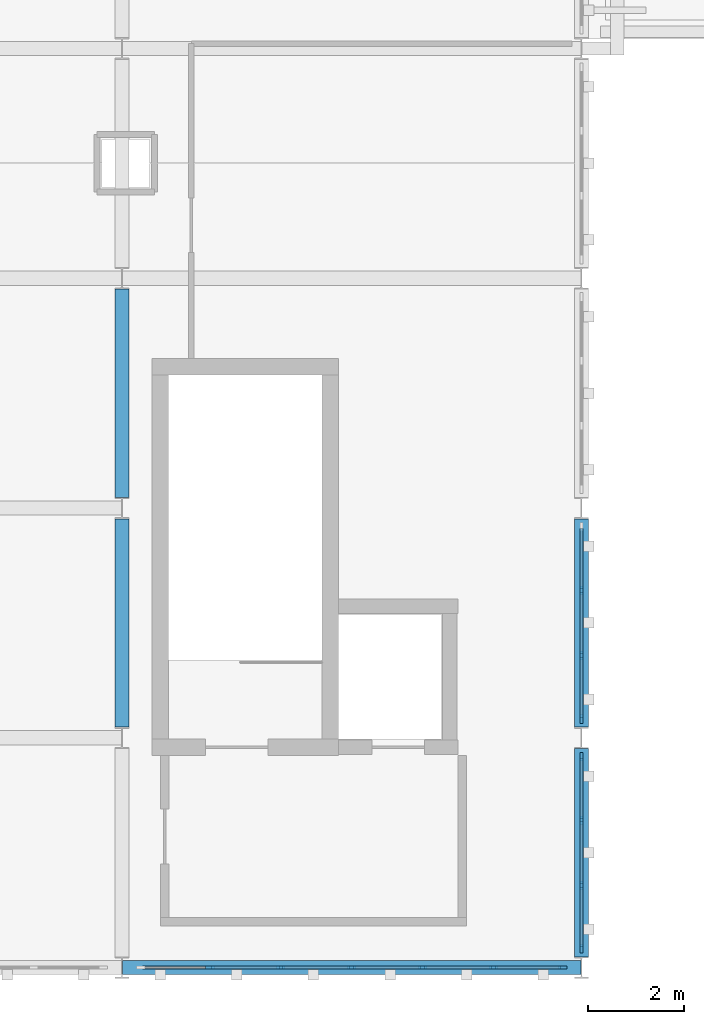
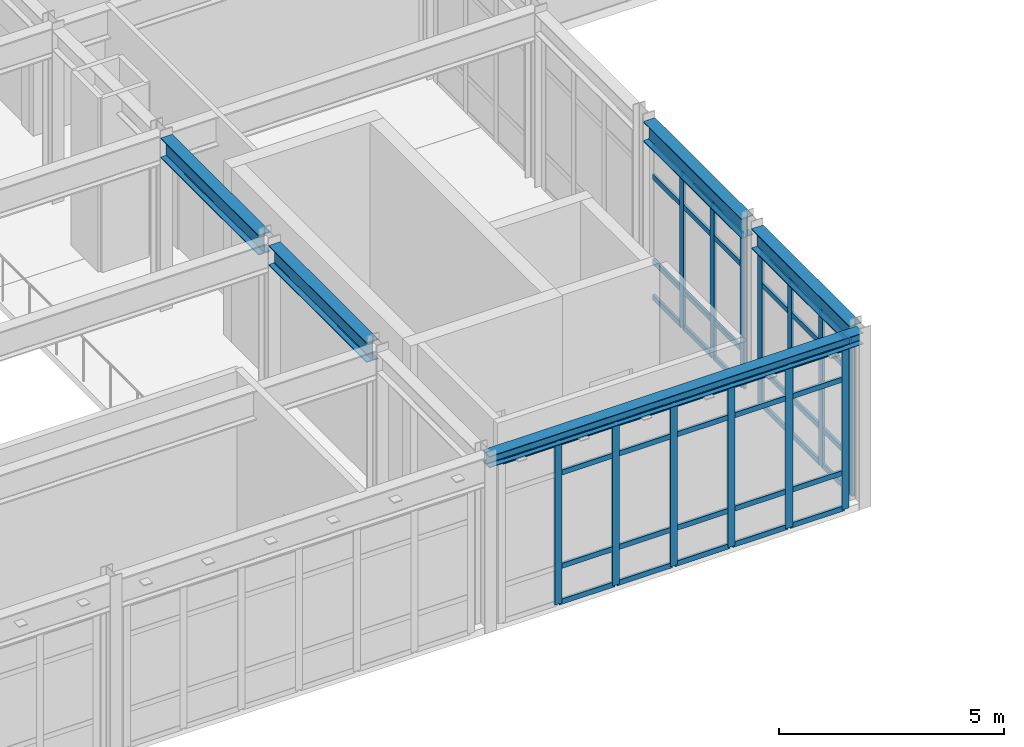
# One storey, part 4 of 16: 58 members, 5 beams, 3 elements without a shape of their own.
"""IFC4 building model written with IfcOpenShell, lengths in metres."""

from ifc_helpers import new_model, si_unit, direction, frame, origin, origin_2d, place, context, subcontext, project, spatial, rectangle, i_section, extrude, material, layer, layer_set, material_profile, profile_set, type_object, element, aggregate, save


model = new_model("IFC4")

# Units and contexts
model_context = context("Model", 3, precision=1e-05, world=origin(), true_north=direction((0.0, 1.0)))
body_context = subcontext(model_context, "Body", "Model", "MODEL_VIEW")
ifc_project = project(units=[si_unit("LENGTHUNIT", "METRE"), si_unit("AREAUNIT", "SQUARE_METRE"), si_unit("VOLUMEUNIT", "CUBIC_METRE"), si_unit("PLANEANGLEUNIT", "RADIAN"), si_unit("MASSUNIT", "GRAM", prefix="KILO")], contexts=[model_context])

# Site, building, storey
site_placement = place(None, origin())
site = spatial("IfcSite", under=ifc_project, at=site_placement, CompositionType="ELEMENT")
building_placement = place(site_placement, origin())
building = spatial("IfcBuilding", under=site, at=building_placement, Name="Nordkorset Police Headquarters", CompositionType="ELEMENT")
storey_placement = place(building_placement, frame((0.0, 0.0, 31.14990234375)))
storey = spatial("IfcBuildingStorey", under=building, at=storey_placement, Name="L07", CompositionType="ELEMENT", Elevation=31.14990234375)

# Curtain wall, members
ifc_material_1 = material(Name="Aluminium alloy AW-6060", Category="aluminium")
ifc_layer_1 = layer(ifc_material_1, 0.179931640625, Name="Aluminium alloy AW-6060")
ifc_layer_set_1 = layer_set([ifc_layer_1], Name="Aluminium alloy AW-6060")
curtain_wall_type_1 = type_object("IfcCurtainWallType", Name="CW_Unit_408x415", PredefinedType="USERDEFINED", material=ifc_layer_set_1)
curtain_wall_1_placement = place(storey_placement, origin())
curtain_wall_1 = element("IfcCurtainWall", 1, at=curtain_wall_1_placement, inside=storey, type_object=curtain_wall_type_1, Name="Unitised Curtain Wall L07 V1E-0", ObjectType="UNITISED CURTAIN WALL", PredefinedType="USERDEFINED")
ifc_material_2 = material(Name="Aluminium alloy AW-6060", Category="aluminium")
ifc_material_profile_1 = material_profile(ifc_material_2, rectangle(XDim=0.06494140625, YDim=0.179931640625, at=origin_2d()), Name="ALU MULL 65x180")
ifc_profile_set_1 = profile_set([ifc_material_profile_1], Name="Aluminium alloy AW-6060")
member_type_1 = type_object("IfcMemberType", Name="CW_Mullion_65x180", PredefinedType="MULLION", material=ifc_profile_set_1)
member_1_placement = place(storey_placement, frame((28.800048828125, 83.592529296875, 0.0), z_axis=(0.0, 0.0, 1.0), x_axis=(-1.0, 0.0, 0.0)))
member_1 = element("IfcMember", 2, at=member_1_placement, type_object=member_type_1, Name="CW-101 mullion 1", PredefinedType="MULLION", context=body_context, shape_type="SweptSolid", body=[
    extrude(rectangle(XDim=0.06494140625, YDim=0.179931640625, at=origin_2d()), origin(), (0.0, 0.0, 1.0), 4.150146484375),
])
member_2_placement = place(storey_placement, frame((28.800048828125, 84.919921875, 0.0), z_axis=(0.0, 0.0, 1.0), x_axis=(-1.0, 0.0, 0.0)))
member_2 = element("IfcMember", 3, at=member_2_placement, type_object=member_type_1, Name="CW-101 mullion 2", PredefinedType="MULLION", context=body_context, shape_type="SweptSolid", body=[
    extrude(rectangle(XDim=0.06494140625, YDim=0.179931640625, at=origin_2d()), origin(), (0.0, 0.0, 1.0), 4.150146484375),
])
member_3_placement = place(storey_placement, frame((28.800048828125, 86.280029296875, 0.0), z_axis=(0.0, 0.0, 1.0), x_axis=(-1.0, 0.0, 0.0)))
member_3 = element("IfcMember", 4, at=member_3_placement, type_object=member_type_1, Name="CW-101 mullion 3", PredefinedType="MULLION", context=body_context, shape_type="SweptSolid", body=[
    extrude(rectangle(XDim=0.06494140625, YDim=0.179931640625, at=origin_2d()), origin(), (0.0, 0.0, 1.0), 4.150146484375),
])
member_4_placement = place(storey_placement, frame((28.800048828125, 87.607421875, 0.0), z_axis=(0.0, 0.0, 1.0), x_axis=(-1.0, 0.0, 0.0)))
member_4 = element("IfcMember", 5, at=member_4_placement, type_object=member_type_1, Name="CW-101 mullion 4", PredefinedType="MULLION", context=body_context, shape_type="SweptSolid", body=[
    extrude(rectangle(XDim=0.06494140625, YDim=0.179931640625, at=origin_2d()), origin(), (0.0, 0.0, 1.0), 4.150146484375),
])

curtain_wall_2_placement = place(storey_placement, origin())
curtain_wall_2 = element("IfcCurtainWall", 6, at=curtain_wall_2_placement, inside=storey, type_object=curtain_wall_type_1, Name="Unitised Curtain Wall L07 V1E-1", ObjectType="UNITISED CURTAIN WALL", PredefinedType="USERDEFINED")
member_5_placement = place(storey_placement, frame((28.800048828125, 88.392578125, 0.0), z_axis=(0.0, 0.0, 1.0), x_axis=(-1.0, 0.0, 0.0)))
member_5 = element("IfcMember", 7, at=member_5_placement, type_object=member_type_1, Name="CW-101 mullion 1", PredefinedType="MULLION", context=body_context, shape_type="SweptSolid", body=[
    extrude(rectangle(XDim=0.06494140625, YDim=0.179931640625, at=origin_2d()), origin(), (0.0, 0.0, 1.0), 4.150146484375),
])
member_6_placement = place(storey_placement, frame((28.800048828125, 89.719970703125, 0.0), z_axis=(0.0, 0.0, 1.0), x_axis=(-1.0, 0.0, 0.0)))
member_6 = element("IfcMember", 8, at=member_6_placement, type_object=member_type_1, Name="CW-101 mullion 2", PredefinedType="MULLION", context=body_context, shape_type="SweptSolid", body=[
    extrude(rectangle(XDim=0.06494140625, YDim=0.179931640625, at=origin_2d()), origin(), (0.0, 0.0, 1.0), 4.150146484375),
])
member_7_placement = place(storey_placement, frame((28.800048828125, 91.080078125, 0.0), z_axis=(0.0, 0.0, 1.0), x_axis=(-1.0, 0.0, 0.0)))
member_7 = element("IfcMember", 9, at=member_7_placement, type_object=member_type_1, Name="CW-101 mullion 3", PredefinedType="MULLION", context=body_context, shape_type="SweptSolid", body=[
    extrude(rectangle(XDim=0.06494140625, YDim=0.179931640625, at=origin_2d()), origin(), (0.0, 0.0, 1.0), 4.150146484375),
])

ifc_material_3 = material(Name="Aluminium alloy AW-6060", Category="aluminium")
ifc_layer_2 = layer(ifc_material_3, 0.179931640625, Name="Aluminium alloy AW-6060")
ifc_layer_set_2 = layer_set([ifc_layer_2], Name="Aluminium alloy AW-6060")
curtain_wall_type_2 = type_object("IfcCurtainWallType", Name="CW_Unit_888x438", PredefinedType="USERDEFINED", material=ifc_layer_set_2)
curtain_wall_3_placement = place(storey_placement, origin())
curtain_wall_3 = element("IfcCurtainWall", 10, at=curtain_wall_3_placement, inside=storey, type_object=curtain_wall_type_2, Name="Unitised Curtain Wall L07 V1S-2", ObjectType="UNITISED CURTAIN WALL", PredefinedType="USERDEFINED")
member_8_placement = place(storey_placement, frame((21.0400390625, 83.199951171875, 0.0), z_axis=(0.0, 0.0, 1.0), x_axis=(0.0, 1.0, 0.0)))
member_8 = element("IfcMember", 11, at=member_8_placement, type_object=member_type_1, Name="CW-102 mullion 2", PredefinedType="MULLION", context=body_context, shape_type="SweptSolid", body=[
    extrude(rectangle(XDim=0.06494140625, YDim=0.179931640625, at=origin_2d()), origin(), (0.0, 0.0, 1.0), 4.380126953125),
])
member_9_placement = place(storey_placement, frame((22.52001953125, 83.199951171875, 0.0), z_axis=(0.0, 0.0, 1.0), x_axis=(0.0, 1.0, 0.0)))
member_9 = element("IfcMember", 12, at=member_9_placement, type_object=member_type_1, Name="CW-102 mullion 3", PredefinedType="MULLION", context=body_context, shape_type="SweptSolid", body=[
    extrude(rectangle(XDim=0.06494140625, YDim=0.179931640625, at=origin_2d()), origin(), (0.0, 0.0, 1.0), 4.380126953125),
])
member_10_placement = place(storey_placement, frame((24.0, 83.199951171875, 0.0), z_axis=(0.0, 0.0, 1.0), x_axis=(0.0, 1.0, 0.0)))
member_10 = element("IfcMember", 13, at=member_10_placement, type_object=member_type_1, Name="CW-102 mullion 4", PredefinedType="MULLION", context=body_context, shape_type="SweptSolid", body=[
    extrude(rectangle(XDim=0.06494140625, YDim=0.179931640625, at=origin_2d()), origin(), (0.0, 0.0, 1.0), 4.380126953125),
])
member_11_placement = place(storey_placement, frame((25.47998046875, 83.199951171875, 0.0), z_axis=(0.0, 0.0, 1.0), x_axis=(0.0, 1.0, 0.0)))
member_11 = element("IfcMember", 14, at=member_11_placement, type_object=member_type_1, Name="CW-102 mullion 5", PredefinedType="MULLION", context=body_context, shape_type="SweptSolid", body=[
    extrude(rectangle(XDim=0.06494140625, YDim=0.179931640625, at=origin_2d()), origin(), (0.0, 0.0, 1.0), 4.380126953125),
])
member_12_placement = place(storey_placement, frame((26.9599609375, 83.199951171875, 0.0), z_axis=(0.0, 0.0, 1.0), x_axis=(0.0, 1.0, 0.0)))
member_12 = element("IfcMember", 15, at=member_12_placement, type_object=member_type_1, Name="CW-102 mullion 6", PredefinedType="MULLION", context=body_context, shape_type="SweptSolid", body=[
    extrude(rectangle(XDim=0.06494140625, YDim=0.179931640625, at=origin_2d()), origin(), (0.0, 0.0, 1.0), 4.380126953125),
])
member_13_placement = place(storey_placement, frame((28.407470703125, 83.199951171875, 0.0), z_axis=(0.0, 0.0, 1.0), x_axis=(0.0, 1.0, 0.0)))
member_13 = element("IfcMember", 16, at=member_13_placement, type_object=member_type_1, Name="CW-102 mullion 7", PredefinedType="MULLION", context=body_context, shape_type="SweptSolid", body=[
    extrude(rectangle(XDim=0.06494140625, YDim=0.179931640625, at=origin_2d()), origin(), (0.0, 0.0, 1.0), 4.380126953125),
])

# Member
ifc_material_4 = material(Name="Aluminium alloy AW-6060", Category="aluminium")
ifc_material_profile_2 = material_profile(ifc_material_4, rectangle(XDim=0.06494140625, YDim=0.139892578125, at=origin_2d()), Name="ALU TRAN 65x140")
ifc_profile_set_2 = profile_set([ifc_material_profile_2], Name="Aluminium alloy AW-6060")
member_type_2 = type_object("IfcMemberType", Name="CW_Transom_65x140", PredefinedType="USERDEFINED", material=ifc_profile_set_2)
member_14_placement = place(storey_placement, frame((28.800048828125, 83.625, 0.03271484375), z_axis=(0.0, 1.0, 0.0), x_axis=(-1.0, 0.0, 0.0)))
member_14 = element("IfcMember", 17, at=member_14_placement, type_object=member_type_2, Name="CW-101 transom 1.1", ObjectType="TRANSOM", PredefinedType="USERDEFINED", context=body_context, shape_type="SweptSolid", body=[
    extrude(rectangle(XDim=0.06494140625, YDim=0.139892578125, at=origin_2d()), origin(), (0.0, 0.0, 1.0), 1.262451171875),
])

member_15_placement = place(storey_placement, frame((28.800048828125, 83.625, 1.0), z_axis=(0.0, 1.0, 0.0), x_axis=(-1.0, 0.0, 0.0)))
member_15 = element("IfcMember", 18, at=member_15_placement, type_object=member_type_2, Name="CW-101 transom 1.2", ObjectType="TRANSOM", PredefinedType="USERDEFINED", context=body_context, shape_type="SweptSolid", body=[
    extrude(rectangle(XDim=0.06494140625, YDim=0.139892578125, at=origin_2d()), origin(), (0.0, 0.0, 1.0), 1.262451171875),
])

member_16_placement = place(storey_placement, frame((28.800048828125, 83.625, 3.300048828125), z_axis=(0.0, 1.0, 0.0), x_axis=(-1.0, 0.0, 0.0)))
member_16 = element("IfcMember", 19, at=member_16_placement, type_object=member_type_2, Name="CW-101 transom 1.3", ObjectType="TRANSOM", PredefinedType="USERDEFINED", context=body_context, shape_type="SweptSolid", body=[
    extrude(rectangle(XDim=0.06494140625, YDim=0.139892578125, at=origin_2d()), origin(), (0.0, 0.0, 1.0), 1.262451171875),
])

member_17_placement = place(storey_placement, frame((28.800048828125, 83.625, 4.11767578125), z_axis=(0.0, 1.0, 0.0), x_axis=(-1.0, 0.0, 0.0)))
member_17 = element("IfcMember", 20, at=member_17_placement, type_object=member_type_2, Name="CW-101 transom 1.4", ObjectType="TRANSOM", PredefinedType="USERDEFINED", context=body_context, shape_type="SweptSolid", body=[
    extrude(rectangle(XDim=0.06494140625, YDim=0.139892578125, at=origin_2d()), origin(), (0.0, 0.0, 1.0), 1.262451171875),
])

member_18_placement = place(storey_placement, frame((28.800048828125, 84.952392578125, 0.03271484375), z_axis=(0.0, 1.0, 0.0), x_axis=(-1.0, 0.0, 0.0)))
member_18 = element("IfcMember", 21, at=member_18_placement, type_object=member_type_2, Name="CW-101 transom 2.1", ObjectType="TRANSOM", PredefinedType="USERDEFINED", context=body_context, shape_type="SweptSolid", body=[
    extrude(rectangle(XDim=0.06494140625, YDim=0.139892578125, at=origin_2d()), origin(), (0.0, 0.0, 1.0), 1.295166015625),
])

member_19_placement = place(storey_placement, frame((28.800048828125, 84.952392578125, 1.0), z_axis=(0.0, 1.0, 0.0), x_axis=(-1.0, 0.0, 0.0)))
member_19 = element("IfcMember", 22, at=member_19_placement, type_object=member_type_2, Name="CW-101 transom 2.2", ObjectType="TRANSOM", PredefinedType="USERDEFINED", context=body_context, shape_type="SweptSolid", body=[
    extrude(rectangle(XDim=0.06494140625, YDim=0.139892578125, at=origin_2d()), origin(), (0.0, 0.0, 1.0), 1.295166015625),
])

member_20_placement = place(storey_placement, frame((28.800048828125, 84.952392578125, 3.300048828125), z_axis=(0.0, 1.0, 0.0), x_axis=(-1.0, 0.0, 0.0)))
member_20 = element("IfcMember", 23, at=member_20_placement, type_object=member_type_2, Name="CW-101 transom 2.3", ObjectType="TRANSOM", PredefinedType="USERDEFINED", context=body_context, shape_type="SweptSolid", body=[
    extrude(rectangle(XDim=0.06494140625, YDim=0.139892578125, at=origin_2d()), origin(), (0.0, 0.0, 1.0), 1.295166015625),
])

member_21_placement = place(storey_placement, frame((28.800048828125, 84.952392578125, 4.11767578125), z_axis=(0.0, 1.0, 0.0), x_axis=(-1.0, 0.0, 0.0)))
member_21 = element("IfcMember", 24, at=member_21_placement, type_object=member_type_2, Name="CW-101 transom 2.4", ObjectType="TRANSOM", PredefinedType="USERDEFINED", context=body_context, shape_type="SweptSolid", body=[
    extrude(rectangle(XDim=0.06494140625, YDim=0.139892578125, at=origin_2d()), origin(), (0.0, 0.0, 1.0), 1.295166015625),
])

member_22_placement = place(storey_placement, frame((28.800048828125, 86.3125, 0.03271484375), z_axis=(0.0, 1.0, 0.0), x_axis=(-1.0, 0.0, 0.0)))
member_22 = element("IfcMember", 25, at=member_22_placement, type_object=member_type_2, Name="CW-101 transom 3.1", ObjectType="TRANSOM", PredefinedType="USERDEFINED", context=body_context, shape_type="SweptSolid", body=[
    extrude(rectangle(XDim=0.06494140625, YDim=0.139892578125, at=origin_2d()), origin(), (0.0, 0.0, 1.0), 1.262451171875),
])

member_23_placement = place(storey_placement, frame((28.800048828125, 86.3125, 1.0), z_axis=(0.0, 1.0, 0.0), x_axis=(-1.0, 0.0, 0.0)))
member_23 = element("IfcMember", 26, at=member_23_placement, type_object=member_type_2, Name="CW-101 transom 3.2", ObjectType="TRANSOM", PredefinedType="USERDEFINED", context=body_context, shape_type="SweptSolid", body=[
    extrude(rectangle(XDim=0.06494140625, YDim=0.139892578125, at=origin_2d()), origin(), (0.0, 0.0, 1.0), 1.262451171875),
])

member_24_placement = place(storey_placement, frame((28.800048828125, 86.3125, 3.300048828125), z_axis=(0.0, 1.0, 0.0), x_axis=(-1.0, 0.0, 0.0)))
member_24 = element("IfcMember", 27, at=member_24_placement, type_object=member_type_2, Name="CW-101 transom 3.3", ObjectType="TRANSOM", PredefinedType="USERDEFINED", context=body_context, shape_type="SweptSolid", body=[
    extrude(rectangle(XDim=0.06494140625, YDim=0.139892578125, at=origin_2d()), origin(), (0.0, 0.0, 1.0), 1.262451171875),
])

member_25_placement = place(storey_placement, frame((28.800048828125, 86.3125, 4.11767578125), z_axis=(0.0, 1.0, 0.0), x_axis=(-1.0, 0.0, 0.0)))
member_25 = element("IfcMember", 28, at=member_25_placement, type_object=member_type_2, Name="CW-101 transom 3.4", ObjectType="TRANSOM", PredefinedType="USERDEFINED", context=body_context, shape_type="SweptSolid", body=[
    extrude(rectangle(XDim=0.06494140625, YDim=0.139892578125, at=origin_2d()), origin(), (0.0, 0.0, 1.0), 1.262451171875),
])

aggregate(curtain_wall_1, [member_1, member_2, member_3, member_4, member_14, member_15, member_16, member_17, member_18, member_19, member_20, member_21, member_22, member_23, member_24, member_25])

member_26_placement = place(storey_placement, frame((28.800048828125, 88.425048828125, 0.03271484375), z_axis=(0.0, 1.0, 0.0), x_axis=(-1.0, 0.0, 0.0)))
member_26 = element("IfcMember", 29, at=member_26_placement, type_object=member_type_2, Name="CW-101 transom 1.1", ObjectType="TRANSOM", PredefinedType="USERDEFINED", context=body_context, shape_type="SweptSolid", body=[
    extrude(rectangle(XDim=0.06494140625, YDim=0.139892578125, at=origin_2d()), origin(), (0.0, 0.0, 1.0), 1.262451171875),
])

member_27_placement = place(storey_placement, frame((28.800048828125, 88.425048828125, 1.0), z_axis=(0.0, 1.0, 0.0), x_axis=(-1.0, 0.0, 0.0)))
member_27 = element("IfcMember", 30, at=member_27_placement, type_object=member_type_2, Name="CW-101 transom 1.2", ObjectType="TRANSOM", PredefinedType="USERDEFINED", context=body_context, shape_type="SweptSolid", body=[
    extrude(rectangle(XDim=0.06494140625, YDim=0.139892578125, at=origin_2d()), origin(), (0.0, 0.0, 1.0), 1.262451171875),
])

member_28_placement = place(storey_placement, frame((28.800048828125, 88.425048828125, 3.300048828125), z_axis=(0.0, 1.0, 0.0), x_axis=(-1.0, 0.0, 0.0)))
member_28 = element("IfcMember", 31, at=member_28_placement, type_object=member_type_2, Name="CW-101 transom 1.3", ObjectType="TRANSOM", PredefinedType="USERDEFINED", context=body_context, shape_type="SweptSolid", body=[
    extrude(rectangle(XDim=0.06494140625, YDim=0.139892578125, at=origin_2d()), origin(), (0.0, 0.0, 1.0), 1.262451171875),
])

member_29_placement = place(storey_placement, frame((28.800048828125, 88.425048828125, 4.11767578125), z_axis=(0.0, 1.0, 0.0), x_axis=(-1.0, 0.0, 0.0)))
member_29 = element("IfcMember", 32, at=member_29_placement, type_object=member_type_2, Name="CW-101 transom 1.4", ObjectType="TRANSOM", PredefinedType="USERDEFINED", context=body_context, shape_type="SweptSolid", body=[
    extrude(rectangle(XDim=0.06494140625, YDim=0.139892578125, at=origin_2d()), origin(), (0.0, 0.0, 1.0), 1.262451171875),
])

member_30_placement = place(storey_placement, frame((28.800048828125, 89.75244140625, 0.03271484375), z_axis=(0.0, 1.0, 0.0), x_axis=(-1.0, 0.0, 0.0)))
member_30 = element("IfcMember", 33, at=member_30_placement, type_object=member_type_2, Name="CW-101 transom 2.1", ObjectType="TRANSOM", PredefinedType="USERDEFINED", context=body_context, shape_type="SweptSolid", body=[
    extrude(rectangle(XDim=0.06494140625, YDim=0.139892578125, at=origin_2d()), origin(), (0.0, 0.0, 1.0), 1.295166015625),
])

member_31_placement = place(storey_placement, frame((28.800048828125, 89.75244140625, 1.0), z_axis=(0.0, 1.0, 0.0), x_axis=(-1.0, 0.0, 0.0)))
member_31 = element("IfcMember", 34, at=member_31_placement, type_object=member_type_2, Name="CW-101 transom 2.2", ObjectType="TRANSOM", PredefinedType="USERDEFINED", context=body_context, shape_type="SweptSolid", body=[
    extrude(rectangle(XDim=0.06494140625, YDim=0.139892578125, at=origin_2d()), origin(), (0.0, 0.0, 1.0), 1.295166015625),
])

member_32_placement = place(storey_placement, frame((28.800048828125, 89.75244140625, 3.300048828125), z_axis=(0.0, 1.0, 0.0), x_axis=(-1.0, 0.0, 0.0)))
member_32 = element("IfcMember", 35, at=member_32_placement, type_object=member_type_2, Name="CW-101 transom 2.3", ObjectType="TRANSOM", PredefinedType="USERDEFINED", context=body_context, shape_type="SweptSolid", body=[
    extrude(rectangle(XDim=0.06494140625, YDim=0.139892578125, at=origin_2d()), origin(), (0.0, 0.0, 1.0), 1.295166015625),
])

member_33_placement = place(storey_placement, frame((28.800048828125, 89.75244140625, 4.11767578125), z_axis=(0.0, 1.0, 0.0), x_axis=(-1.0, 0.0, 0.0)))
member_33 = element("IfcMember", 36, at=member_33_placement, type_object=member_type_2, Name="CW-101 transom 2.4", ObjectType="TRANSOM", PredefinedType="USERDEFINED", context=body_context, shape_type="SweptSolid", body=[
    extrude(rectangle(XDim=0.06494140625, YDim=0.139892578125, at=origin_2d()), origin(), (0.0, 0.0, 1.0), 1.295166015625),
])

member_34_placement = place(storey_placement, frame((28.800048828125, 91.112548828125, 0.03271484375), z_axis=(0.0, 1.0, 0.0), x_axis=(-1.0, 0.0, 0.0)))
member_34 = element("IfcMember", 37, at=member_34_placement, type_object=member_type_2, Name="CW-101 transom 3.1", ObjectType="TRANSOM", PredefinedType="USERDEFINED", context=body_context, shape_type="SweptSolid", body=[
    extrude(rectangle(XDim=0.06494140625, YDim=0.139892578125, at=origin_2d()), origin(), (0.0, 0.0, 1.0), 1.262451171875),
])

member_35_placement = place(storey_placement, frame((28.800048828125, 91.112548828125, 1.0), z_axis=(0.0, 1.0, 0.0), x_axis=(-1.0, 0.0, 0.0)))
member_35 = element("IfcMember", 38, at=member_35_placement, type_object=member_type_2, Name="CW-101 transom 3.2", ObjectType="TRANSOM", PredefinedType="USERDEFINED", context=body_context, shape_type="SweptSolid", body=[
    extrude(rectangle(XDim=0.06494140625, YDim=0.139892578125, at=origin_2d()), origin(), (0.0, 0.0, 1.0), 1.262451171875),
])

member_36_placement = place(storey_placement, frame((28.800048828125, 91.112548828125, 3.300048828125), z_axis=(0.0, 1.0, 0.0), x_axis=(-1.0, 0.0, 0.0)))
member_36 = element("IfcMember", 39, at=member_36_placement, type_object=member_type_2, Name="CW-101 transom 3.3", ObjectType="TRANSOM", PredefinedType="USERDEFINED", context=body_context, shape_type="SweptSolid", body=[
    extrude(rectangle(XDim=0.06494140625, YDim=0.139892578125, at=origin_2d()), origin(), (0.0, 0.0, 1.0), 1.262451171875),
])

member_37_placement = place(storey_placement, frame((28.800048828125, 91.112548828125, 4.11767578125), z_axis=(0.0, 1.0, 0.0), x_axis=(-1.0, 0.0, 0.0)))
member_37 = element("IfcMember", 40, at=member_37_placement, type_object=member_type_2, Name="CW-101 transom 3.4", ObjectType="TRANSOM", PredefinedType="USERDEFINED", context=body_context, shape_type="SweptSolid", body=[
    extrude(rectangle(XDim=0.06494140625, YDim=0.139892578125, at=origin_2d()), origin(), (0.0, 0.0, 1.0), 1.262451171875),
])

aggregate(curtain_wall_2, [member_5, member_6, member_7, member_26, member_27, member_28, member_29, member_30, member_31, member_32, member_33, member_34, member_35, member_36, member_37])

member_38_placement = place(storey_placement, frame((19.625, 83.199951171875, 4.34765625), z_axis=(1.0, 0.0, 0.0), x_axis=(0.0, 1.0, 0.0)))
member_38 = element("IfcMember", 41, at=member_38_placement, type_object=member_type_2, Name="CW-102 transom 1.4", ObjectType="TRANSOM", PredefinedType="USERDEFINED", context=body_context, shape_type="SweptSolid", body=[
    extrude(rectangle(XDim=0.06494140625, YDim=0.139892578125, at=origin_2d()), origin(), (0.0, 0.0, 1.0), 1.382568359375),
])

member_39_placement = place(storey_placement, frame((21.072509765625, 83.199951171875, 0.03271484375), z_axis=(1.0, 0.0, 0.0), x_axis=(0.0, 1.0, 0.0)))
member_39 = element("IfcMember", 42, at=member_39_placement, type_object=member_type_2, Name="CW-102 transom 2.1", ObjectType="TRANSOM", PredefinedType="USERDEFINED", context=body_context, shape_type="SweptSolid", body=[
    extrude(rectangle(XDim=0.06494140625, YDim=0.139892578125, at=origin_2d()), origin(), (0.0, 0.0, 1.0), 1.4150390625),
])

member_40_placement = place(storey_placement, frame((21.072509765625, 83.199951171875, 1.0), z_axis=(1.0, 0.0, 0.0), x_axis=(0.0, 1.0, 0.0)))
member_40 = element("IfcMember", 43, at=member_40_placement, type_object=member_type_2, Name="CW-102 transom 2.2", ObjectType="TRANSOM", PredefinedType="USERDEFINED", context=body_context, shape_type="SweptSolid", body=[
    extrude(rectangle(XDim=0.06494140625, YDim=0.139892578125, at=origin_2d()), origin(), (0.0, 0.0, 1.0), 1.4150390625),
])

member_41_placement = place(storey_placement, frame((21.072509765625, 83.199951171875, 3.530029296875), z_axis=(1.0, 0.0, 0.0), x_axis=(0.0, 1.0, 0.0)))
member_41 = element("IfcMember", 44, at=member_41_placement, type_object=member_type_2, Name="CW-102 transom 2.3", ObjectType="TRANSOM", PredefinedType="USERDEFINED", context=body_context, shape_type="SweptSolid", body=[
    extrude(rectangle(XDim=0.06494140625, YDim=0.139892578125, at=origin_2d()), origin(), (0.0, 0.0, 1.0), 1.4150390625),
])

member_42_placement = place(storey_placement, frame((21.072509765625, 83.199951171875, 4.34765625), z_axis=(1.0, 0.0, 0.0), x_axis=(0.0, 1.0, 0.0)))
member_42 = element("IfcMember", 45, at=member_42_placement, type_object=member_type_2, Name="CW-102 transom 2.4", ObjectType="TRANSOM", PredefinedType="USERDEFINED", context=body_context, shape_type="SweptSolid", body=[
    extrude(rectangle(XDim=0.06494140625, YDim=0.139892578125, at=origin_2d()), origin(), (0.0, 0.0, 1.0), 1.4150390625),
])

member_43_placement = place(storey_placement, frame((22.552490234375, 83.199951171875, 0.03271484375), z_axis=(1.0, 0.0, 0.0), x_axis=(0.0, 1.0, 0.0)))
member_43 = element("IfcMember", 46, at=member_43_placement, type_object=member_type_2, Name="CW-102 transom 3.1", ObjectType="TRANSOM", PredefinedType="USERDEFINED", context=body_context, shape_type="SweptSolid", body=[
    extrude(rectangle(XDim=0.06494140625, YDim=0.139892578125, at=origin_2d()), origin(), (0.0, 0.0, 1.0), 1.4150390625),
])

member_44_placement = place(storey_placement, frame((22.552490234375, 83.199951171875, 1.0), z_axis=(1.0, 0.0, 0.0), x_axis=(0.0, 1.0, 0.0)))
member_44 = element("IfcMember", 47, at=member_44_placement, type_object=member_type_2, Name="CW-102 transom 3.2", ObjectType="TRANSOM", PredefinedType="USERDEFINED", context=body_context, shape_type="SweptSolid", body=[
    extrude(rectangle(XDim=0.06494140625, YDim=0.139892578125, at=origin_2d()), origin(), (0.0, 0.0, 1.0), 1.4150390625),
])

member_45_placement = place(storey_placement, frame((22.552490234375, 83.199951171875, 3.530029296875), z_axis=(1.0, 0.0, 0.0), x_axis=(0.0, 1.0, 0.0)))
member_45 = element("IfcMember", 48, at=member_45_placement, type_object=member_type_2, Name="CW-102 transom 3.3", ObjectType="TRANSOM", PredefinedType="USERDEFINED", context=body_context, shape_type="SweptSolid", body=[
    extrude(rectangle(XDim=0.06494140625, YDim=0.139892578125, at=origin_2d()), origin(), (0.0, 0.0, 1.0), 1.4150390625),
])

member_46_placement = place(storey_placement, frame((22.552490234375, 83.199951171875, 4.34765625), z_axis=(1.0, 0.0, 0.0), x_axis=(0.0, 1.0, 0.0)))
member_46 = element("IfcMember", 49, at=member_46_placement, type_object=member_type_2, Name="CW-102 transom 3.4", ObjectType="TRANSOM", PredefinedType="USERDEFINED", context=body_context, shape_type="SweptSolid", body=[
    extrude(rectangle(XDim=0.06494140625, YDim=0.139892578125, at=origin_2d()), origin(), (0.0, 0.0, 1.0), 1.4150390625),
])

member_47_placement = place(storey_placement, frame((24.032470703125, 83.199951171875, 0.03271484375), z_axis=(1.0, 0.0, 0.0), x_axis=(0.0, 1.0, 0.0)))
member_47 = element("IfcMember", 50, at=member_47_placement, type_object=member_type_2, Name="CW-102 transom 4.1", ObjectType="TRANSOM", PredefinedType="USERDEFINED", context=body_context, shape_type="SweptSolid", body=[
    extrude(rectangle(XDim=0.06494140625, YDim=0.139892578125, at=origin_2d()), origin(), (0.0, 0.0, 1.0), 1.4150390625),
])

member_48_placement = place(storey_placement, frame((24.032470703125, 83.199951171875, 1.0), z_axis=(1.0, 0.0, 0.0), x_axis=(0.0, 1.0, 0.0)))
member_48 = element("IfcMember", 51, at=member_48_placement, type_object=member_type_2, Name="CW-102 transom 4.2", ObjectType="TRANSOM", PredefinedType="USERDEFINED", context=body_context, shape_type="SweptSolid", body=[
    extrude(rectangle(XDim=0.06494140625, YDim=0.139892578125, at=origin_2d()), origin(), (0.0, 0.0, 1.0), 1.4150390625),
])

member_49_placement = place(storey_placement, frame((24.032470703125, 83.199951171875, 3.530029296875), z_axis=(1.0, 0.0, 0.0), x_axis=(0.0, 1.0, 0.0)))
member_49 = element("IfcMember", 52, at=member_49_placement, type_object=member_type_2, Name="CW-102 transom 4.3", ObjectType="TRANSOM", PredefinedType="USERDEFINED", context=body_context, shape_type="SweptSolid", body=[
    extrude(rectangle(XDim=0.06494140625, YDim=0.139892578125, at=origin_2d()), origin(), (0.0, 0.0, 1.0), 1.4150390625),
])

member_50_placement = place(storey_placement, frame((24.032470703125, 83.199951171875, 4.34765625), z_axis=(1.0, 0.0, 0.0), x_axis=(0.0, 1.0, 0.0)))
member_50 = element("IfcMember", 53, at=member_50_placement, type_object=member_type_2, Name="CW-102 transom 4.4", ObjectType="TRANSOM", PredefinedType="USERDEFINED", context=body_context, shape_type="SweptSolid", body=[
    extrude(rectangle(XDim=0.06494140625, YDim=0.139892578125, at=origin_2d()), origin(), (0.0, 0.0, 1.0), 1.4150390625),
])

member_51_placement = place(storey_placement, frame((25.512451171875, 83.199951171875, 0.03271484375), z_axis=(1.0, 0.0, 0.0), x_axis=(0.0, 1.0, 0.0)))
member_51 = element("IfcMember", 54, at=member_51_placement, type_object=member_type_2, Name="CW-102 transom 5.1", ObjectType="TRANSOM", PredefinedType="USERDEFINED", context=body_context, shape_type="SweptSolid", body=[
    extrude(rectangle(XDim=0.06494140625, YDim=0.139892578125, at=origin_2d()), origin(), (0.0, 0.0, 1.0), 1.4150390625),
])

member_52_placement = place(storey_placement, frame((25.512451171875, 83.199951171875, 1.0), z_axis=(1.0, 0.0, 0.0), x_axis=(0.0, 1.0, 0.0)))
member_52 = element("IfcMember", 55, at=member_52_placement, type_object=member_type_2, Name="CW-102 transom 5.2", ObjectType="TRANSOM", PredefinedType="USERDEFINED", context=body_context, shape_type="SweptSolid", body=[
    extrude(rectangle(XDim=0.06494140625, YDim=0.139892578125, at=origin_2d()), origin(), (0.0, 0.0, 1.0), 1.4150390625),
])

member_53_placement = place(storey_placement, frame((25.512451171875, 83.199951171875, 3.530029296875), z_axis=(1.0, 0.0, 0.0), x_axis=(0.0, 1.0, 0.0)))
member_53 = element("IfcMember", 56, at=member_53_placement, type_object=member_type_2, Name="CW-102 transom 5.3", ObjectType="TRANSOM", PredefinedType="USERDEFINED", context=body_context, shape_type="SweptSolid", body=[
    extrude(rectangle(XDim=0.06494140625, YDim=0.139892578125, at=origin_2d()), origin(), (0.0, 0.0, 1.0), 1.4150390625),
])

member_54_placement = place(storey_placement, frame((25.512451171875, 83.199951171875, 4.34765625), z_axis=(1.0, 0.0, 0.0), x_axis=(0.0, 1.0, 0.0)))
member_54 = element("IfcMember", 57, at=member_54_placement, type_object=member_type_2, Name="CW-102 transom 5.4", ObjectType="TRANSOM", PredefinedType="USERDEFINED", context=body_context, shape_type="SweptSolid", body=[
    extrude(rectangle(XDim=0.06494140625, YDim=0.139892578125, at=origin_2d()), origin(), (0.0, 0.0, 1.0), 1.4150390625),
])

member_55_placement = place(storey_placement, frame((26.992431640625, 83.199951171875, 0.03271484375), z_axis=(1.0, 0.0, 0.0), x_axis=(0.0, 1.0, 0.0)))
member_55 = element("IfcMember", 58, at=member_55_placement, type_object=member_type_2, Name="CW-102 transom 6.1", ObjectType="TRANSOM", PredefinedType="USERDEFINED", context=body_context, shape_type="SweptSolid", body=[
    extrude(rectangle(XDim=0.06494140625, YDim=0.139892578125, at=origin_2d()), origin(), (0.0, 0.0, 1.0), 1.382568359375),
])

member_56_placement = place(storey_placement, frame((26.992431640625, 83.199951171875, 1.0), z_axis=(1.0, 0.0, 0.0), x_axis=(0.0, 1.0, 0.0)))
member_56 = element("IfcMember", 59, at=member_56_placement, type_object=member_type_2, Name="CW-102 transom 6.2", ObjectType="TRANSOM", PredefinedType="USERDEFINED", context=body_context, shape_type="SweptSolid", body=[
    extrude(rectangle(XDim=0.06494140625, YDim=0.139892578125, at=origin_2d()), origin(), (0.0, 0.0, 1.0), 1.382568359375),
])

member_57_placement = place(storey_placement, frame((26.992431640625, 83.199951171875, 3.530029296875), z_axis=(1.0, 0.0, 0.0), x_axis=(0.0, 1.0, 0.0)))
member_57 = element("IfcMember", 60, at=member_57_placement, type_object=member_type_2, Name="CW-102 transom 6.3", ObjectType="TRANSOM", PredefinedType="USERDEFINED", context=body_context, shape_type="SweptSolid", body=[
    extrude(rectangle(XDim=0.06494140625, YDim=0.139892578125, at=origin_2d()), origin(), (0.0, 0.0, 1.0), 1.382568359375),
])

member_58_placement = place(storey_placement, frame((26.992431640625, 83.199951171875, 4.34765625), z_axis=(1.0, 0.0, 0.0), x_axis=(0.0, 1.0, 0.0)))
member_58 = element("IfcMember", 61, at=member_58_placement, type_object=member_type_2, Name="CW-102 transom 6.4", ObjectType="TRANSOM", PredefinedType="USERDEFINED", context=body_context, shape_type="SweptSolid", body=[
    extrude(rectangle(XDim=0.06494140625, YDim=0.139892578125, at=origin_2d()), origin(), (0.0, 0.0, 1.0), 1.382568359375),
])

aggregate(curtain_wall_3, [member_8, member_9, member_10, member_11, member_12, member_13, member_38, member_39, member_40, member_41, member_42, member_43, member_44, member_45, member_46, member_47, member_48, member_49, member_50, member_51, member_52, member_53, member_54, member_55, member_56, member_57, member_58])

# Beams
ifc_material_5 = material(Name="Steel S355J2", Category="steel")
ifc_material_profile_3 = material_profile(ifc_material_5, i_section(OverallWidth=0.300048828125, OverallDepth=0.5400390625, WebThickness=0.012451171875, FlangeThickness=0.02392578125, FilletRadius=0.027099609375, at=origin_2d()), Name="HEA 550")
ifc_profile_set_3 = profile_set([ifc_material_profile_3], Name="Steel S355J2")
beam_type_1 = type_object("IfcBeamType", Name="Girder_HEA_550", PredefinedType="USERDEFINED", material=ifc_profile_set_3)
beam_1_placement = place(storey_placement, frame((19.199951171875, 88.22509765625, 4.440185546875), z_axis=(0.0, 1.0, 0.0), x_axis=(-1.0, 0.0, 0.0)))
element("IfcBeam", 62, at=beam_1_placement, inside=storey, type_object=beam_type_1, Name="Girder V1 L07 GY-1-1", ObjectType="GIRDER", PredefinedType="USERDEFINED", context=body_context, shape_type="SweptSolid", body=[
    extrude(i_section(OverallWidth=0.300048828125, OverallDepth=0.5400390625, WebThickness=0.012451171875, FlangeThickness=0.02392578125, FilletRadius=0.027099609375, at=origin_2d()), origin(), (0.0, 0.0, 1.0), 4.349853515625),
])
beam_2_placement = place(storey_placement, frame((19.199951171875, 93.02490234375, 4.440185546875), z_axis=(0.0, 1.0, 0.0), x_axis=(-1.0, 0.0, 0.0)))
element("IfcBeam", 63, at=beam_2_placement, inside=storey, type_object=beam_type_1, Name="Girder V1 L07 GY-1-2", ObjectType="GIRDER", PredefinedType="USERDEFINED", context=body_context, shape_type="SweptSolid", body=[
    extrude(i_section(OverallWidth=0.300048828125, OverallDepth=0.5400390625, WebThickness=0.012451171875, FlangeThickness=0.02392578125, FilletRadius=0.027099609375, at=origin_2d()), origin(), (0.0, 0.0, 1.0), 4.35009765625),
])
for number, where, z_axis, x_axis, name in (
    (64, (28.800048828125, 83.425048828125, 4.440185546875), (0.0, 1.0, 0.0), (-1.0, 0.0, 0.0), "Girder V1 L07 GY-2-0"),
    (65, (28.800048828125, 88.22509765625, 4.440185546875), (0.0, 1.0, 0.0), (-1.0, 0.0, 0.0), "Girder V1 L07 GY-2-1"),
):
    element("IfcBeam", number, at=place(storey_placement, frame(where, z_axis=z_axis, x_axis=x_axis)), inside=storey, type_object=beam_type_1, Name=name, ObjectType="GIRDER", PredefinedType="USERDEFINED", context=body_context, shape_type="SweptSolid", body=[
        extrude(i_section(OverallWidth=0.300048828125, OverallDepth=0.5400390625, WebThickness=0.012451171875, FlangeThickness=0.02392578125, FilletRadius=0.027099609375, at=origin_2d()), origin(), (0.0, 0.0, 1.0), 4.349853515625),
    ])
ifc_material_6 = material(Name="Steel S355J2", Category="steel")
ifc_material_profile_4 = material_profile(ifc_material_6, i_section(OverallWidth=0.300048828125, OverallDepth=0.31005859375, WebThickness=0.009033203125, FlangeThickness=0.015380859375, FilletRadius=0.027099609375, at=origin_2d()), Name="HEA 320")
ifc_profile_set_4 = profile_set([ifc_material_profile_4], Name="Steel S355J2")
beam_type_2 = type_object("IfcBeamType", Name="Spandrel_HEA_320", PredefinedType="SPANDREL", material=ifc_profile_set_4)
beam_3_placement = place(storey_placement, frame((19.20703125, 83.199951171875, 4.55517578125), z_axis=(1.0, 0.0, 0.0), x_axis=(0.0, 1.0, 0.0)))
element("IfcBeam", 66, at=beam_3_placement, inside=storey, type_object=beam_type_2, Name="Girder V1 L07 GX-0-1", PredefinedType="SPANDREL", context=body_context, shape_type="SweptSolid", body=[
    extrude(i_section(OverallWidth=0.300048828125, OverallDepth=0.31005859375, WebThickness=0.009033203125, FlangeThickness=0.015380859375, FilletRadius=0.027099609375, at=origin_2d()), origin(), (0.0, 0.0, 1.0), 9.5859375),
])

save(model, "model.ifc")
